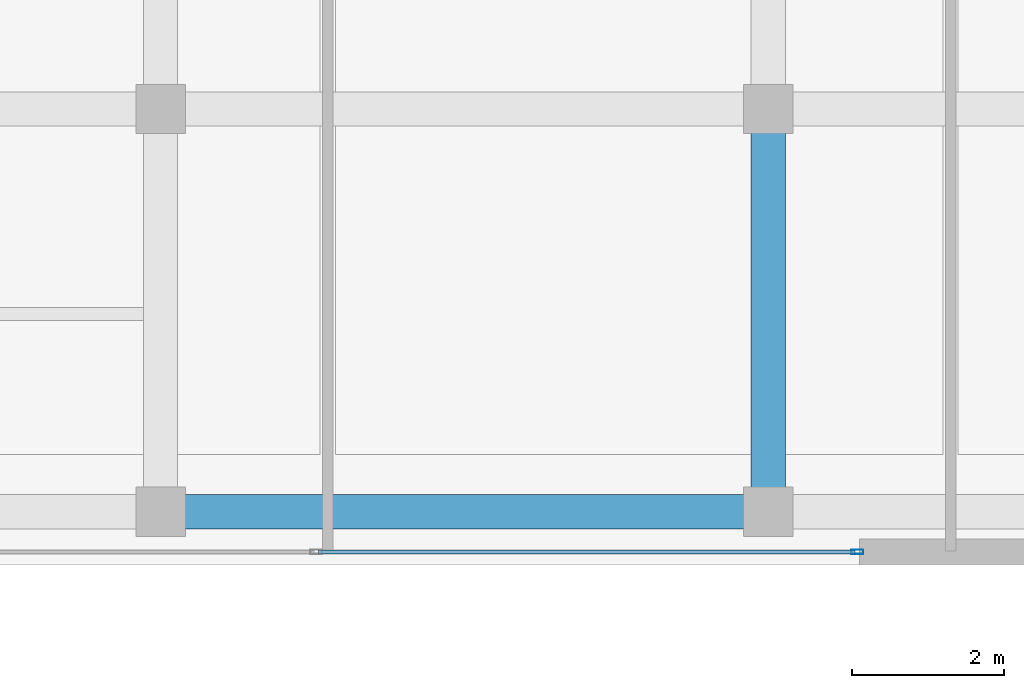
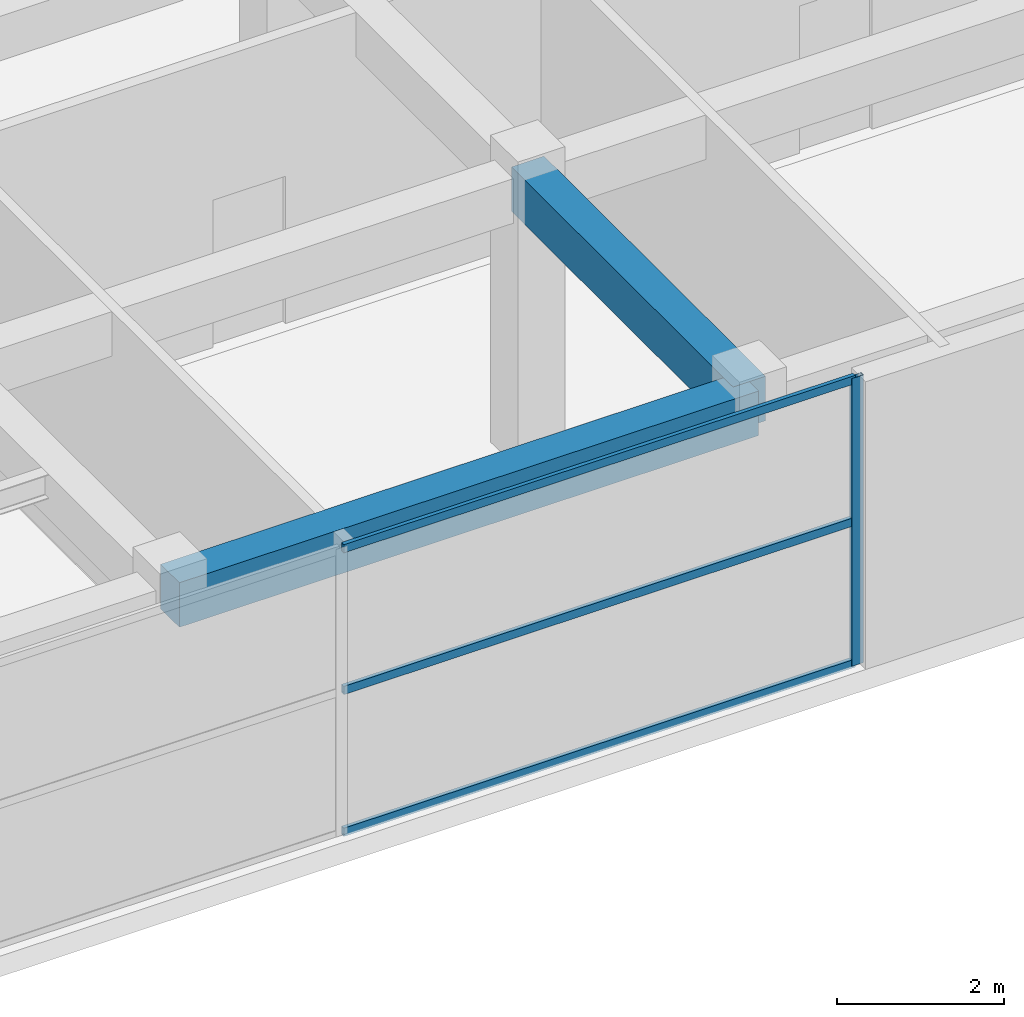
# One storey, part 11 of 28: 4 members, 2 beams, 1 element without a shape of its own.
"""IFC4 building model written with IfcOpenShell, lengths in metres."""

from ifc_helpers import new_model, si_unit, direction, frame, origin, origin_2d, place, context, subcontext, project, spatial, rectangle, hollow_rectangle, extrude, source, transform, mapped, material, layer, layer_set, material_profile, profile_set, type_object, element, aggregate, save


model = new_model("IFC4")

# Units and contexts
model_context = context("Model", 3, precision=1e-05, world=origin(), true_north=direction((0.0, 1.0)))
body_context = subcontext(model_context, "Body", "Model", "MODEL_VIEW")
ifc_project = project(units=[si_unit("LENGTHUNIT", "METRE"), si_unit("AREAUNIT", "SQUARE_METRE"), si_unit("VOLUMEUNIT", "CUBIC_METRE"), si_unit("PLANEANGLEUNIT", "RADIAN"), si_unit("MASSUNIT", "GRAM", prefix="KILO")], contexts=[model_context])

# Site, building, storey
site_placement = place(None, origin())
site = spatial("IfcSite", under=ifc_project, at=site_placement, CompositionType="ELEMENT")
building_placement = place(site_placement, origin())
building = spatial("IfcBuilding", under=site, at=building_placement, Name="Khoralis Quay Care Tower", CompositionType="ELEMENT")
storey_placement = place(building_placement, frame((0.0, 0.0, 9.0)))
storey = spatial("IfcBuildingStorey", under=building, at=storey_placement, Name="L02", CompositionType="ELEMENT", Elevation=9.0)

# Beams
ifc_material_1 = material(Name="Concrete C40/50", Category="concrete")
ifc_material_profile_1 = material_profile(ifc_material_1, rectangle(XDim=0.449951171875, YDim=0.64990234375, at=origin_2d()), Name="Concrete C40/50")
ifc_profile_set_1 = profile_set([ifc_material_profile_1], Name="Concrete C40/50")
beam_type = type_object("IfcBeamType", Name="BM-RC450X650", PredefinedType="BEAM", material=ifc_profile_set_1)
shared_shape_1 = source(origin(), body_context, "Body", "SweptSolid", [
    extrude(rectangle(XDim=0.449951171875, YDim=0.64990234375, at=origin_2d()), origin(), (0.0, 0.0, 1.0), 8.0),
])
beam_1_placement = place(storey_placement, frame((84.0, 6.699951171875, 3.875), z_axis=(1.0, 0.0, 0.0), x_axis=(0.0, 1.0, 0.0)))
element("IfcBeam", 1, at=beam_1_placement, inside=storey, type_object=beam_type, Name="BM-SCX-L02-03", PredefinedType="BEAM", context=body_context, shape_type="MappedRepresentation", body=[
    mapped(shared_shape_1, transform((0.0, 0.0, 0.0), scale=1.0)),
])
shared_shape_2 = source(origin(), body_context, "Body", "SweptSolid", [
    extrude(rectangle(XDim=0.449951171875, YDim=0.64990234375, at=origin_2d()), origin(), (0.0, 0.0, 1.0), 5.300048828125),
])
beam_2_placement = place(storey_placement, frame((92.0, 6.699951171875, 3.875), z_axis=(0.0, 1.0, 0.0), x_axis=(-1.0, 0.0, 0.0)))
element("IfcBeam", 2, at=beam_2_placement, inside=storey, type_object=beam_type, Name="BM-SCY-L02-51", PredefinedType="BEAM", context=body_context, shape_type="MappedRepresentation", body=[
    mapped(shared_shape_2, transform((0.0, 0.0, 0.0), scale=1.0)),
])

# Curtain wall, members
ifc_material_2 = material(Name="Pale anodised aluminium", Category="aluminium")
ifc_layer = layer(ifc_material_2, 0.14990234375)
ifc_layer_set = layer_set([ifc_layer], Name="Pale anodised aluminium")
curtain_wall_type = type_object("IfcCurtainWallType", Name="CW-SYS-SCHOOL", PredefinedType="NOTDEFINED", material=ifc_layer_set)
curtain_wall_placement = place(storey_placement, origin())
curtain_wall = element("IfcCurtainWall", 3, at=curtain_wall_placement, inside=storey, type_object=curtain_wall_type, Name="L02 Unitised Curtain Wall CW-SCH-L02-E0", PredefinedType="NOTDEFINED")
ifc_material_profile_2 = material_profile(ifc_material_2, hollow_rectangle(XDim=0.06005859375, YDim=0.159912109375, WallThickness=0.00390625, at=origin_2d()), Name="Pale anodised aluminium")
ifc_profile_set_2 = profile_set([ifc_material_profile_2], Name="Pale anodised aluminium")
member_type_1 = type_object("IfcMemberType", Name="CW-MUL-160", PredefinedType="MULLION", material=ifc_profile_set_2)
shared_shape_3 = source(origin(), body_context, "Body", "SweptSolid", [
    extrude(hollow_rectangle(XDim=0.06005859375, YDim=0.159912109375, WallThickness=0.00390625, at=origin_2d()), origin(), (0.0, 0.0, 1.0), 4.199951171875),
])
member_1_placement = place(storey_placement, frame((93.172119140625, 6.169921875, 0.0), z_axis=(0.0, 0.0, 1.0), x_axis=(0.0, 1.0, 0.0)))
member_1 = element("IfcMember", 4, at=member_1_placement, type_object=member_type_1, Name="CW6 mullion 3", PredefinedType="MULLION", context=body_context, shape_type="MappedRepresentation", body=[
    mapped(shared_shape_3, transform((0.0, 0.0, 0.0), scale=1.0)),
])
ifc_material_profile_3 = material_profile(ifc_material_2, hollow_rectangle(XDim=0.054931640625, YDim=0.1201171875, WallThickness=0.00390625, at=origin_2d()), Name="Pale anodised aluminium")
ifc_profile_set_3 = profile_set([ifc_material_profile_3], Name="Pale anodised aluminium")
member_type_2 = type_object("IfcMemberType", Name="CW-TRN-120", PredefinedType="USERDEFINED", material=ifc_profile_set_3)
shared_shape_4 = source(origin(), body_context, "Body", "SweptSolid", [
    extrude(hollow_rectangle(XDim=0.054931640625, YDim=0.1201171875, WallThickness=0.00390625, at=origin_2d()), origin(), (0.0, 0.0, 1.0), 7.06201171875),
])
member_2_placement = place(storey_placement, frame((86.080078125, 6.169921875, 0.030029296875), z_axis=(1.0, 0.0, 0.0), x_axis=(0.0, 1.0, 0.0)))
member_2 = element("IfcMember", 5, at=member_2_placement, type_object=member_type_2, Name="CW6 transom 2.1", ObjectType="TRANSOM", PredefinedType="USERDEFINED", context=body_context, shape_type="MappedRepresentation", body=[
    mapped(shared_shape_4, transform((0.0, 0.0, 0.0), scale=1.0)),
])
member_3_placement = place(storey_placement, frame((86.080078125, 6.169921875, 2.10009765625), z_axis=(1.0, 0.0, 0.0), x_axis=(0.0, 1.0, 0.0)))
member_3 = element("IfcMember", 6, at=member_3_placement, type_object=member_type_2, Name="CW6 transom 2.2", ObjectType="TRANSOM", PredefinedType="USERDEFINED", context=body_context, shape_type="MappedRepresentation", body=[
    mapped(shared_shape_4, transform((0.0, 0.0, 0.0), scale=1.0)),
])
member_4_placement = place(storey_placement, frame((86.080078125, 6.169921875, 4.169921875), z_axis=(1.0, 0.0, 0.0), x_axis=(0.0, 1.0, 0.0)))
member_4 = element("IfcMember", 7, at=member_4_placement, type_object=member_type_2, Name="CW6 transom 2.3", ObjectType="TRANSOM", PredefinedType="USERDEFINED", context=body_context, shape_type="MappedRepresentation", body=[
    mapped(shared_shape_4, transform((0.0, 0.0, 0.0), scale=1.0)),
])
aggregate(curtain_wall, [member_1, member_2, member_3, member_4])

save(model, "model.ifc")
